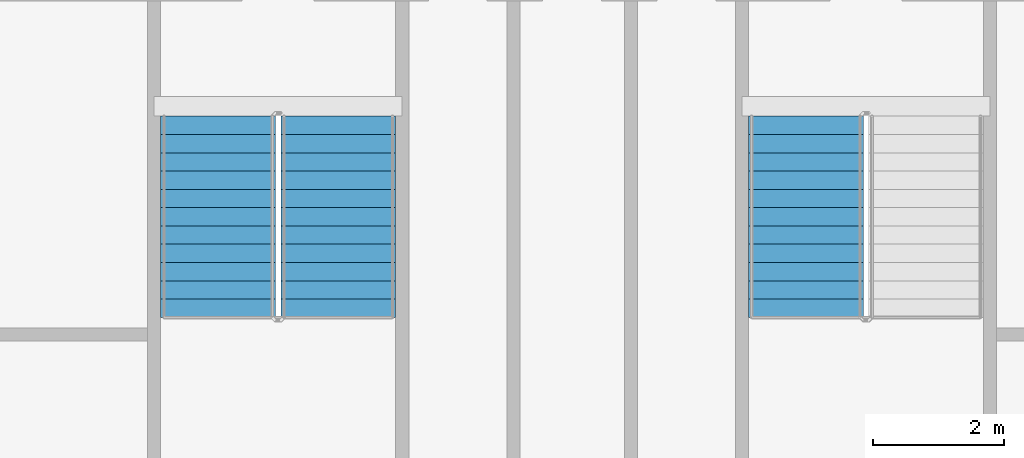
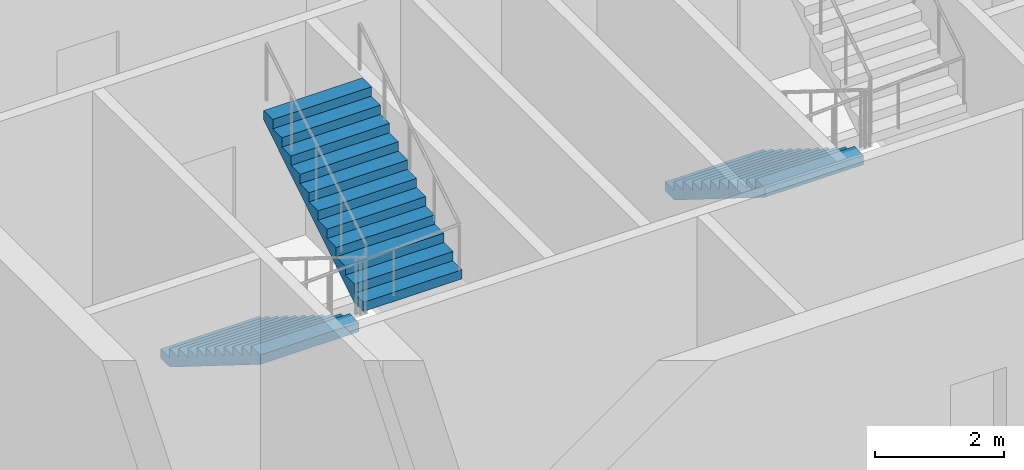
# One storey, part 24 of 31: 3 stair flights, 2 elements without a shape of their own.
"""IFC4 building model written with IfcOpenShell, lengths in metres."""

from ifc_helpers import new_model, si_unit, direction, frame, origin, place, context, subcontext, project, spatial, faceted_brep, material, type_object, element, aggregate, save


model = new_model("IFC4")

# Units and contexts
model_context = context("Model", 3, precision=1e-05, world=origin(), true_north=direction((0.0, 1.0)))
body_context = subcontext(model_context, "Body", "Model", "MODEL_VIEW")
ifc_project = project(units=[si_unit("LENGTHUNIT", "METRE"), si_unit("AREAUNIT", "SQUARE_METRE"), si_unit("VOLUMEUNIT", "CUBIC_METRE"), si_unit("PLANEANGLEUNIT", "RADIAN"), si_unit("MASSUNIT", "GRAM", prefix="KILO")], contexts=[model_context])

# Site, building, storey
site_placement = place(None, origin())
site = spatial("IfcSite", under=ifc_project, at=site_placement, CompositionType="ELEMENT")
building_placement = place(site_placement, origin())
building = spatial("IfcBuilding", under=site, at=building_placement, Name="Tarsis Ring Headquarters", CompositionType="ELEMENT")
storey_placement = place(building_placement, frame((0.0, 0.0, 390.199951171875)))
storey = spatial("IfcBuildingStorey", under=building, at=storey_placement, Name="L92", CompositionType="ELEMENT", Elevation=390.199951171875)

# Stair, stair flights
ifc_material_1 = material(Name="Core stair 1760")
stair_type = type_object("IfcStairType", Name="Core stair 1760", PredefinedType="HALF_TURN_STAIR", material=ifc_material_1)
stair_1_placement = place(storey_placement, origin())
stair_1 = element("IfcStair", 1, at=stair_1_placement, inside=storey, type_object=stair_type, Name="L92 Exit stair C", PredefinedType="HALF_TURN_STAIR")
ifc_material_2 = material(Name="Concrete C40/50", Category="concrete")
stair_flight_type = type_object("IfcStairFlightType", Name="Core stair flight 1760", PredefinedType="STRAIGHT", material=ifc_material_2)
stair_flight_1_placement = place(storey_placement, frame((-5.419921875, -3.659912109375, 0.0), z_axis=(0.0, 0.0, 1.0), x_axis=(0.0, -1.0, 0.0)))
stair_flight_1 = element("IfcStairFlight", 2, at=stair_flight_1_placement, type_object=stair_flight_type, Name="Stair ST3 flight 1", NumberOfRisers=12, NumberOfTreads=11, PredefinedType="STRAIGHT", RiserHeight=0.175, TreadLength=0.28, context=body_context, shape_type="Brep", body=[
    faceted_brep([(0.0, 0.8798828125, 0.0), (0.0, 0.8798828125, 0.175048828125), (0.280029296875, 0.8798828125, 0.175048828125), (0.280029296875, 0.8798828125, 0.35009765625), (0.56005859375, 0.8798828125, 0.35009765625), (0.56005859375, 0.8798828125, 0.52490234375), (0.840087890625, 0.8798828125, 0.52490234375), (0.840087890625, 0.8798828125, 0.699951171875), (1.1201171875, 0.8798828125, 0.699951171875), (1.1201171875, 0.8798828125, 0.875), (1.39990234375, 0.8798828125, 0.875), (1.39990234375, 0.8798828125, 1.050048828125), (1.679931640625, 0.8798828125, 1.050048828125), (1.679931640625, 0.8798828125, 1.22509765625), (1.9599609375, 0.8798828125, 1.22509765625), (1.9599609375, 0.8798828125, 1.39990234375), (2.239990234375, 0.8798828125, 1.39990234375), (2.239990234375, 0.8798828125, 1.574951171875), (2.52001953125, 0.8798828125, 1.574951171875), (2.52001953125, 0.8798828125, 1.75), (2.800048828125, 0.8798828125, 1.75), (2.800048828125, 0.8798828125, 1.925048828125), (3.080078125, 0.8798828125, 1.925048828125), (3.080078125, 0.8798828125, 1.748291015625), (0.28271484375, 0.8798828125, 0.0), (0.28271484375, -0.8798828125, 0.0), (3.080078125, -0.8798828125, 1.748291015625), (3.080078125, -0.8798828125, 1.925048828125), (2.800048828125, -0.8798828125, 1.925048828125), (2.800048828125, -0.8798828125, 1.75), (2.52001953125, -0.8798828125, 1.75), (2.52001953125, -0.8798828125, 1.574951171875), (2.239990234375, -0.8798828125, 1.574951171875), (2.239990234375, -0.8798828125, 1.39990234375), (1.9599609375, -0.8798828125, 1.39990234375), (1.9599609375, -0.8798828125, 1.22509765625), (1.679931640625, -0.8798828125, 1.22509765625), (1.679931640625, -0.8798828125, 1.050048828125), (1.39990234375, -0.8798828125, 1.050048828125), (1.39990234375, -0.8798828125, 0.875), (1.1201171875, -0.8798828125, 0.875), (1.1201171875, -0.8798828125, 0.699951171875), (0.840087890625, -0.8798828125, 0.699951171875), (0.840087890625, -0.8798828125, 0.52490234375), (0.56005859375, -0.8798828125, 0.52490234375), (0.56005859375, -0.8798828125, 0.35009765625), (0.280029296875, -0.8798828125, 0.35009765625), (0.280029296875, -0.8798828125, 0.175048828125), (0.0, -0.8798828125, 0.175048828125), (0.0, -0.8798828125, 0.0), (0.0, -0.43994140625, 0.175048828125), (0.0, -0.43994140625, 0.0), (0.0, 0.0, 0.175048828125), (0.0, 0.0, 0.0), (0.0, 0.43994140625, 0.175048828125), (0.0, 0.43994140625, 0.0), (0.280029296875, -0.43994140625, 0.175048828125), (0.280029296875, 0.0, 0.175048828125), (0.280029296875, 0.43994140625, 0.175048828125), (0.280029296875, -0.43994140625, 0.35009765625), (0.280029296875, 0.0, 0.35009765625), (0.280029296875, 0.43994140625, 0.35009765625), (0.56005859375, -0.43994140625, 0.35009765625), (0.56005859375, 0.0, 0.35009765625), (0.56005859375, 0.43994140625, 0.35009765625), (0.56005859375, -0.43994140625, 0.52490234375), (0.56005859375, 0.0, 0.52490234375), (0.56005859375, 0.43994140625, 0.52490234375), (0.840087890625, -0.43994140625, 0.52490234375), (0.840087890625, 0.0, 0.52490234375), (0.840087890625, 0.43994140625, 0.52490234375), (0.840087890625, -0.43994140625, 0.699951171875), (0.840087890625, 0.0, 0.699951171875), (0.840087890625, 0.43994140625, 0.699951171875), (1.1201171875, -0.43994140625, 0.699951171875), (1.1201171875, 0.0, 0.699951171875), (1.1201171875, 0.43994140625, 0.699951171875), (1.1201171875, -0.43994140625, 0.875), (1.1201171875, 0.0, 0.875), (1.1201171875, 0.43994140625, 0.875), (1.39990234375, -0.43994140625, 0.875), (1.39990234375, 0.0, 0.875), (1.39990234375, 0.43994140625, 0.875), (1.39990234375, -0.43994140625, 1.050048828125), (1.39990234375, 0.0, 1.050048828125), (1.39990234375, 0.43994140625, 1.050048828125), (1.679931640625, -0.43994140625, 1.050048828125), (1.679931640625, 0.0, 1.050048828125), (1.679931640625, 0.43994140625, 1.050048828125), (1.679931640625, -0.43994140625, 1.22509765625), (1.679931640625, 0.0, 1.22509765625), (1.679931640625, 0.43994140625, 1.22509765625), (1.9599609375, -0.43994140625, 1.22509765625), (1.9599609375, 0.0, 1.22509765625), (1.9599609375, 0.43994140625, 1.22509765625), (1.9599609375, -0.43994140625, 1.39990234375), (1.9599609375, 0.0, 1.39990234375), (1.9599609375, 0.43994140625, 1.39990234375), (2.239990234375, -0.43994140625, 1.39990234375), (2.239990234375, 0.0, 1.39990234375), (2.239990234375, 0.43994140625, 1.39990234375), (2.239990234375, -0.43994140625, 1.574951171875), (2.239990234375, 0.0, 1.574951171875), (2.239990234375, 0.43994140625, 1.574951171875), (2.52001953125, -0.43994140625, 1.574951171875), (2.52001953125, 0.0, 1.574951171875), (2.52001953125, 0.43994140625, 1.574951171875), (2.52001953125, -0.43994140625, 1.75), (2.52001953125, 0.0, 1.75), (2.52001953125, 0.43994140625, 1.75), (2.800048828125, -0.43994140625, 1.75), (2.800048828125, 0.0, 1.75), (2.800048828125, 0.43994140625, 1.75), (2.800048828125, -0.43994140625, 1.925048828125), (2.800048828125, 0.0, 1.925048828125), (2.800048828125, 0.43994140625, 1.925048828125), (3.080078125, -0.43994140625, 1.925048828125), (3.080078125, 0.0, 1.925048828125), (3.080078125, 0.43994140625, 1.925048828125), (3.080078125, -0.43994140625, 1.748291015625), (3.080078125, 0.0, 1.748291015625), (3.080078125, 0.43994140625, 1.748291015625), (0.28271484375, -0.43994140625, 0.0), (0.28271484375, 0.0, 0.0), (0.28271484375, 0.43994140625, 0.0)], [[[0, 1, 2, 3, 4, 5, 6, 7, 8, 9, 10, 11, 12, 13, 14, 15, 16, 17, 18, 19, 20, 21, 22, 23, 24]], [[25, 26, 27, 28, 29, 30, 31, 32, 33, 34, 35, 36, 37, 38, 39, 40, 41, 42, 43, 44, 45, 46, 47, 48, 49]], [[49, 48, 50, 51]], [[51, 50, 52, 53]], [[53, 52, 54, 55]], [[55, 54, 1, 0]], [[48, 47, 56, 50]], [[50, 56, 57, 52]], [[52, 57, 58, 54]], [[54, 58, 2, 1]], [[47, 46, 59, 56]], [[56, 59, 60, 57]], [[57, 60, 61, 58]], [[58, 61, 3, 2]], [[46, 45, 62, 59]], [[59, 62, 63, 60]], [[60, 63, 64, 61]], [[61, 64, 4, 3]], [[45, 44, 65, 62]], [[62, 65, 66, 63]], [[63, 66, 67, 64]], [[64, 67, 5, 4]], [[44, 43, 68, 65]], [[65, 68, 69, 66]], [[66, 69, 70, 67]], [[67, 70, 6, 5]], [[43, 42, 71, 68]], [[68, 71, 72, 69]], [[69, 72, 73, 70]], [[70, 73, 7, 6]], [[42, 41, 74, 71]], [[71, 74, 75, 72]], [[72, 75, 76, 73]], [[73, 76, 8, 7]], [[41, 40, 77, 74]], [[74, 77, 78, 75]], [[75, 78, 79, 76]], [[76, 79, 9, 8]], [[40, 39, 80, 77]], [[77, 80, 81, 78]], [[78, 81, 82, 79]], [[79, 82, 10, 9]], [[39, 38, 83, 80]], [[80, 83, 84, 81]], [[81, 84, 85, 82]], [[82, 85, 11, 10]], [[38, 37, 86, 83]], [[83, 86, 87, 84]], [[84, 87, 88, 85]], [[85, 88, 12, 11]], [[37, 36, 89, 86]], [[86, 89, 90, 87]], [[87, 90, 91, 88]], [[88, 91, 13, 12]], [[36, 35, 92, 89]], [[89, 92, 93, 90]], [[90, 93, 94, 91]], [[91, 94, 14, 13]], [[35, 34, 95, 92]], [[92, 95, 96, 93]], [[93, 96, 97, 94]], [[94, 97, 15, 14]], [[34, 33, 98, 95]], [[95, 98, 99, 96]], [[96, 99, 100, 97]], [[97, 100, 16, 15]], [[33, 32, 101, 98]], [[98, 101, 102, 99]], [[99, 102, 103, 100]], [[100, 103, 17, 16]], [[32, 31, 104, 101]], [[101, 104, 105, 102]], [[102, 105, 106, 103]], [[103, 106, 18, 17]], [[31, 30, 107, 104]], [[104, 107, 108, 105]], [[105, 108, 109, 106]], [[106, 109, 19, 18]], [[30, 29, 110, 107]], [[107, 110, 111, 108]], [[108, 111, 112, 109]], [[109, 112, 20, 19]], [[29, 28, 113, 110]], [[110, 113, 114, 111]], [[111, 114, 115, 112]], [[112, 115, 21, 20]], [[28, 27, 116, 113]], [[113, 116, 117, 114]], [[114, 117, 118, 115]], [[115, 118, 22, 21]], [[27, 26, 119, 116]], [[116, 119, 120, 117]], [[117, 120, 121, 118]], [[118, 121, 23, 22]], [[26, 25, 122, 119]], [[119, 122, 123, 120]], [[120, 123, 124, 121]], [[121, 124, 24, 23]], [[25, 49, 51, 122]], [[122, 51, 53, 123]], [[123, 53, 55, 124]], [[124, 55, 0, 24]]]),
])
stair_flight_2_placement = place(storey_placement, frame((-3.580078125, -6.739990234375, 2.10009765625), z_axis=(0.0, 0.0, 1.0), x_axis=(0.0, 1.0, 0.0)))
stair_flight_2 = element("IfcStairFlight", 3, at=stair_flight_2_placement, type_object=stair_flight_type, Name="Stair ST3 flight 2", NumberOfRisers=12, NumberOfTreads=11, PredefinedType="STRAIGHT", RiserHeight=0.175, TreadLength=0.28, context=body_context, shape_type="Brep", body=[
    faceted_brep([(0.0, 0.8798828125, 0.0), (0.0, 0.8798828125, 0.175048828125), (0.280029296875, 0.8798828125, 0.175048828125), (0.280029296875, 0.8798828125, 0.35009765625), (0.56005859375, 0.8798828125, 0.35009765625), (0.56005859375, 0.8798828125, 0.52490234375), (0.840087890625, 0.8798828125, 0.52490234375), (0.840087890625, 0.8798828125, 0.699951171875), (1.1201171875, 0.8798828125, 0.699951171875), (1.1201171875, 0.8798828125, 0.875), (1.39990234375, 0.8798828125, 0.875), (1.39990234375, 0.8798828125, 1.050048828125), (1.679931640625, 0.8798828125, 1.050048828125), (1.679931640625, 0.8798828125, 1.22509765625), (1.9599609375, 0.8798828125, 1.22509765625), (1.9599609375, 0.8798828125, 1.39990234375), (2.239990234375, 0.8798828125, 1.39990234375), (2.239990234375, 0.8798828125, 1.574951171875), (2.52001953125, 0.8798828125, 1.574951171875), (2.52001953125, 0.8798828125, 1.75), (2.800048828125, 0.8798828125, 1.75), (2.800048828125, 0.8798828125, 1.925048828125), (3.080078125, 0.8798828125, 1.925048828125), (3.080078125, 0.8798828125, 1.748291015625), (0.28271484375, 0.8798828125, 0.0), (0.28271484375, -0.8798828125, 0.0), (3.080078125, -0.8798828125, 1.748291015625), (3.080078125, -0.8798828125, 1.925048828125), (2.800048828125, -0.8798828125, 1.925048828125), (2.800048828125, -0.8798828125, 1.75), (2.52001953125, -0.8798828125, 1.75), (2.52001953125, -0.8798828125, 1.574951171875), (2.239990234375, -0.8798828125, 1.574951171875), (2.239990234375, -0.8798828125, 1.39990234375), (1.9599609375, -0.8798828125, 1.39990234375), (1.9599609375, -0.8798828125, 1.22509765625), (1.679931640625, -0.8798828125, 1.22509765625), (1.679931640625, -0.8798828125, 1.050048828125), (1.39990234375, -0.8798828125, 1.050048828125), (1.39990234375, -0.8798828125, 0.875), (1.1201171875, -0.8798828125, 0.875), (1.1201171875, -0.8798828125, 0.699951171875), (0.840087890625, -0.8798828125, 0.699951171875), (0.840087890625, -0.8798828125, 0.52490234375), (0.56005859375, -0.8798828125, 0.52490234375), (0.56005859375, -0.8798828125, 0.35009765625), (0.280029296875, -0.8798828125, 0.35009765625), (0.280029296875, -0.8798828125, 0.175048828125), (0.0, -0.8798828125, 0.175048828125), (0.0, -0.8798828125, 0.0), (0.0, -0.43994140625, 0.175048828125), (0.0, -0.43994140625, 0.0), (0.0, 0.0, 0.175048828125), (0.0, 0.0, 0.0), (0.0, 0.43994140625, 0.175048828125), (0.0, 0.43994140625, 0.0), (0.280029296875, -0.43994140625, 0.175048828125), (0.280029296875, 0.0, 0.175048828125), (0.280029296875, 0.43994140625, 0.175048828125), (0.280029296875, -0.43994140625, 0.35009765625), (0.280029296875, 0.0, 0.35009765625), (0.280029296875, 0.43994140625, 0.35009765625), (0.56005859375, -0.43994140625, 0.35009765625), (0.56005859375, 0.0, 0.35009765625), (0.56005859375, 0.43994140625, 0.35009765625), (0.56005859375, -0.43994140625, 0.52490234375), (0.56005859375, 0.0, 0.52490234375), (0.56005859375, 0.43994140625, 0.52490234375), (0.840087890625, -0.43994140625, 0.52490234375), (0.840087890625, 0.0, 0.52490234375), (0.840087890625, 0.43994140625, 0.52490234375), (0.840087890625, -0.43994140625, 0.699951171875), (0.840087890625, 0.0, 0.699951171875), (0.840087890625, 0.43994140625, 0.699951171875), (1.1201171875, -0.43994140625, 0.699951171875), (1.1201171875, 0.0, 0.699951171875), (1.1201171875, 0.43994140625, 0.699951171875), (1.1201171875, -0.43994140625, 0.875), (1.1201171875, 0.0, 0.875), (1.1201171875, 0.43994140625, 0.875), (1.39990234375, -0.43994140625, 0.875), (1.39990234375, 0.0, 0.875), (1.39990234375, 0.43994140625, 0.875), (1.39990234375, -0.43994140625, 1.050048828125), (1.39990234375, 0.0, 1.050048828125), (1.39990234375, 0.43994140625, 1.050048828125), (1.679931640625, -0.43994140625, 1.050048828125), (1.679931640625, 0.0, 1.050048828125), (1.679931640625, 0.43994140625, 1.050048828125), (1.679931640625, -0.43994140625, 1.22509765625), (1.679931640625, 0.0, 1.22509765625), (1.679931640625, 0.43994140625, 1.22509765625), (1.9599609375, -0.43994140625, 1.22509765625), (1.9599609375, 0.0, 1.22509765625), (1.9599609375, 0.43994140625, 1.22509765625), (1.9599609375, -0.43994140625, 1.39990234375), (1.9599609375, 0.0, 1.39990234375), (1.9599609375, 0.43994140625, 1.39990234375), (2.239990234375, -0.43994140625, 1.39990234375), (2.239990234375, 0.0, 1.39990234375), (2.239990234375, 0.43994140625, 1.39990234375), (2.239990234375, -0.43994140625, 1.574951171875), (2.239990234375, 0.0, 1.574951171875), (2.239990234375, 0.43994140625, 1.574951171875), (2.52001953125, -0.43994140625, 1.574951171875), (2.52001953125, 0.0, 1.574951171875), (2.52001953125, 0.43994140625, 1.574951171875), (2.52001953125, -0.43994140625, 1.75), (2.52001953125, 0.0, 1.75), (2.52001953125, 0.43994140625, 1.75), (2.800048828125, -0.43994140625, 1.75), (2.800048828125, 0.0, 1.75), (2.800048828125, 0.43994140625, 1.75), (2.800048828125, -0.43994140625, 1.925048828125), (2.800048828125, 0.0, 1.925048828125), (2.800048828125, 0.43994140625, 1.925048828125), (3.080078125, -0.43994140625, 1.925048828125), (3.080078125, 0.0, 1.925048828125), (3.080078125, 0.43994140625, 1.925048828125), (3.080078125, -0.43994140625, 1.748291015625), (3.080078125, 0.0, 1.748291015625), (3.080078125, 0.43994140625, 1.748291015625), (0.28271484375, -0.43994140625, 0.0), (0.28271484375, 0.0, 0.0), (0.28271484375, 0.43994140625, 0.0)], [[[0, 1, 2, 3, 4, 5, 6, 7, 8, 9, 10, 11, 12, 13, 14, 15, 16, 17, 18, 19, 20, 21, 22, 23, 24]], [[25, 26, 27, 28, 29, 30, 31, 32, 33, 34, 35, 36, 37, 38, 39, 40, 41, 42, 43, 44, 45, 46, 47, 48, 49]], [[49, 48, 50, 51]], [[51, 50, 52, 53]], [[53, 52, 54, 55]], [[55, 54, 1, 0]], [[48, 47, 56, 50]], [[50, 56, 57, 52]], [[52, 57, 58, 54]], [[54, 58, 2, 1]], [[47, 46, 59, 56]], [[56, 59, 60, 57]], [[57, 60, 61, 58]], [[58, 61, 3, 2]], [[46, 45, 62, 59]], [[59, 62, 63, 60]], [[60, 63, 64, 61]], [[61, 64, 4, 3]], [[45, 44, 65, 62]], [[62, 65, 66, 63]], [[63, 66, 67, 64]], [[64, 67, 5, 4]], [[44, 43, 68, 65]], [[65, 68, 69, 66]], [[66, 69, 70, 67]], [[67, 70, 6, 5]], [[43, 42, 71, 68]], [[68, 71, 72, 69]], [[69, 72, 73, 70]], [[70, 73, 7, 6]], [[42, 41, 74, 71]], [[71, 74, 75, 72]], [[72, 75, 76, 73]], [[73, 76, 8, 7]], [[41, 40, 77, 74]], [[74, 77, 78, 75]], [[75, 78, 79, 76]], [[76, 79, 9, 8]], [[40, 39, 80, 77]], [[77, 80, 81, 78]], [[78, 81, 82, 79]], [[79, 82, 10, 9]], [[39, 38, 83, 80]], [[80, 83, 84, 81]], [[81, 84, 85, 82]], [[82, 85, 11, 10]], [[38, 37, 86, 83]], [[83, 86, 87, 84]], [[84, 87, 88, 85]], [[85, 88, 12, 11]], [[37, 36, 89, 86]], [[86, 89, 90, 87]], [[87, 90, 91, 88]], [[88, 91, 13, 12]], [[36, 35, 92, 89]], [[89, 92, 93, 90]], [[90, 93, 94, 91]], [[91, 94, 14, 13]], [[35, 34, 95, 92]], [[92, 95, 96, 93]], [[93, 96, 97, 94]], [[94, 97, 15, 14]], [[34, 33, 98, 95]], [[95, 98, 99, 96]], [[96, 99, 100, 97]], [[97, 100, 16, 15]], [[33, 32, 101, 98]], [[98, 101, 102, 99]], [[99, 102, 103, 100]], [[100, 103, 17, 16]], [[32, 31, 104, 101]], [[101, 104, 105, 102]], [[102, 105, 106, 103]], [[103, 106, 18, 17]], [[31, 30, 107, 104]], [[104, 107, 108, 105]], [[105, 108, 109, 106]], [[106, 109, 19, 18]], [[30, 29, 110, 107]], [[107, 110, 111, 108]], [[108, 111, 112, 109]], [[109, 112, 20, 19]], [[29, 28, 113, 110]], [[110, 113, 114, 111]], [[111, 114, 115, 112]], [[112, 115, 21, 20]], [[28, 27, 116, 113]], [[113, 116, 117, 114]], [[114, 117, 118, 115]], [[115, 118, 22, 21]], [[27, 26, 119, 116]], [[116, 119, 120, 117]], [[117, 120, 121, 118]], [[118, 121, 23, 22]], [[26, 25, 122, 119]], [[119, 122, 123, 120]], [[120, 123, 124, 121]], [[121, 124, 24, 23]], [[25, 49, 51, 122]], [[122, 51, 53, 123]], [[123, 53, 55, 124]], [[124, 55, 0, 24]]]),
])
aggregate(stair_1, [stair_flight_1, stair_flight_2])

# Stair, stair flight
stair_2_placement = place(storey_placement, origin())
stair_2 = element("IfcStair", 4, at=stair_2_placement, inside=storey, type_object=stair_type, Name="L92 Exit stair D", PredefinedType="HALF_TURN_STAIR")
stair_flight_3_placement = place(storey_placement, frame((3.580078125, -3.659912109375, 0.0), z_axis=(0.0, 0.0, 1.0), x_axis=(0.0, -1.0, 0.0)))
stair_flight_3 = element("IfcStairFlight", 5, at=stair_flight_3_placement, type_object=stair_flight_type, Name="Stair ST4 flight 1", NumberOfRisers=12, NumberOfTreads=11, PredefinedType="STRAIGHT", RiserHeight=0.175, TreadLength=0.28, context=body_context, shape_type="Brep", body=[
    faceted_brep([(0.0, 0.8798828125, 0.0), (0.0, 0.8798828125, 0.175048828125), (0.280029296875, 0.8798828125, 0.175048828125), (0.280029296875, 0.8798828125, 0.35009765625), (0.56005859375, 0.8798828125, 0.35009765625), (0.56005859375, 0.8798828125, 0.52490234375), (0.840087890625, 0.8798828125, 0.52490234375), (0.840087890625, 0.8798828125, 0.699951171875), (1.1201171875, 0.8798828125, 0.699951171875), (1.1201171875, 0.8798828125, 0.875), (1.39990234375, 0.8798828125, 0.875), (1.39990234375, 0.8798828125, 1.050048828125), (1.679931640625, 0.8798828125, 1.050048828125), (1.679931640625, 0.8798828125, 1.22509765625), (1.9599609375, 0.8798828125, 1.22509765625), (1.9599609375, 0.8798828125, 1.39990234375), (2.239990234375, 0.8798828125, 1.39990234375), (2.239990234375, 0.8798828125, 1.574951171875), (2.52001953125, 0.8798828125, 1.574951171875), (2.52001953125, 0.8798828125, 1.75), (2.800048828125, 0.8798828125, 1.75), (2.800048828125, 0.8798828125, 1.925048828125), (3.080078125, 0.8798828125, 1.925048828125), (3.080078125, 0.8798828125, 1.748291015625), (0.28271484375, 0.8798828125, 0.0), (0.28271484375, -0.8798828125, 0.0), (3.080078125, -0.8798828125, 1.748291015625), (3.080078125, -0.8798828125, 1.925048828125), (2.800048828125, -0.8798828125, 1.925048828125), (2.800048828125, -0.8798828125, 1.75), (2.52001953125, -0.8798828125, 1.75), (2.52001953125, -0.8798828125, 1.574951171875), (2.239990234375, -0.8798828125, 1.574951171875), (2.239990234375, -0.8798828125, 1.39990234375), (1.9599609375, -0.8798828125, 1.39990234375), (1.9599609375, -0.8798828125, 1.22509765625), (1.679931640625, -0.8798828125, 1.22509765625), (1.679931640625, -0.8798828125, 1.050048828125), (1.39990234375, -0.8798828125, 1.050048828125), (1.39990234375, -0.8798828125, 0.875), (1.1201171875, -0.8798828125, 0.875), (1.1201171875, -0.8798828125, 0.699951171875), (0.840087890625, -0.8798828125, 0.699951171875), (0.840087890625, -0.8798828125, 0.52490234375), (0.56005859375, -0.8798828125, 0.52490234375), (0.56005859375, -0.8798828125, 0.35009765625), (0.280029296875, -0.8798828125, 0.35009765625), (0.280029296875, -0.8798828125, 0.175048828125), (0.0, -0.8798828125, 0.175048828125), (0.0, -0.8798828125, 0.0), (0.0, -0.43994140625, 0.175048828125), (0.0, -0.43994140625, 0.0), (0.0, 0.0, 0.175048828125), (0.0, 0.0, 0.0), (0.0, 0.43994140625, 0.175048828125), (0.0, 0.43994140625, 0.0), (0.280029296875, -0.43994140625, 0.175048828125), (0.280029296875, 0.0, 0.175048828125), (0.280029296875, 0.43994140625, 0.175048828125), (0.280029296875, -0.43994140625, 0.35009765625), (0.280029296875, 0.0, 0.35009765625), (0.280029296875, 0.43994140625, 0.35009765625), (0.56005859375, -0.43994140625, 0.35009765625), (0.56005859375, 0.0, 0.35009765625), (0.56005859375, 0.43994140625, 0.35009765625), (0.56005859375, -0.43994140625, 0.52490234375), (0.56005859375, 0.0, 0.52490234375), (0.56005859375, 0.43994140625, 0.52490234375), (0.840087890625, -0.43994140625, 0.52490234375), (0.840087890625, 0.0, 0.52490234375), (0.840087890625, 0.43994140625, 0.52490234375), (0.840087890625, -0.43994140625, 0.699951171875), (0.840087890625, 0.0, 0.699951171875), (0.840087890625, 0.43994140625, 0.699951171875), (1.1201171875, -0.43994140625, 0.699951171875), (1.1201171875, 0.0, 0.699951171875), (1.1201171875, 0.43994140625, 0.699951171875), (1.1201171875, -0.43994140625, 0.875), (1.1201171875, 0.0, 0.875), (1.1201171875, 0.43994140625, 0.875), (1.39990234375, -0.43994140625, 0.875), (1.39990234375, 0.0, 0.875), (1.39990234375, 0.43994140625, 0.875), (1.39990234375, -0.43994140625, 1.050048828125), (1.39990234375, 0.0, 1.050048828125), (1.39990234375, 0.43994140625, 1.050048828125), (1.679931640625, -0.43994140625, 1.050048828125), (1.679931640625, 0.0, 1.050048828125), (1.679931640625, 0.43994140625, 1.050048828125), (1.679931640625, -0.43994140625, 1.22509765625), (1.679931640625, 0.0, 1.22509765625), (1.679931640625, 0.43994140625, 1.22509765625), (1.9599609375, -0.43994140625, 1.22509765625), (1.9599609375, 0.0, 1.22509765625), (1.9599609375, 0.43994140625, 1.22509765625), (1.9599609375, -0.43994140625, 1.39990234375), (1.9599609375, 0.0, 1.39990234375), (1.9599609375, 0.43994140625, 1.39990234375), (2.239990234375, -0.43994140625, 1.39990234375), (2.239990234375, 0.0, 1.39990234375), (2.239990234375, 0.43994140625, 1.39990234375), (2.239990234375, -0.43994140625, 1.574951171875), (2.239990234375, 0.0, 1.574951171875), (2.239990234375, 0.43994140625, 1.574951171875), (2.52001953125, -0.43994140625, 1.574951171875), (2.52001953125, 0.0, 1.574951171875), (2.52001953125, 0.43994140625, 1.574951171875), (2.52001953125, -0.43994140625, 1.75), (2.52001953125, 0.0, 1.75), (2.52001953125, 0.43994140625, 1.75), (2.800048828125, -0.43994140625, 1.75), (2.800048828125, 0.0, 1.75), (2.800048828125, 0.43994140625, 1.75), (2.800048828125, -0.43994140625, 1.925048828125), (2.800048828125, 0.0, 1.925048828125), (2.800048828125, 0.43994140625, 1.925048828125), (3.080078125, -0.43994140625, 1.925048828125), (3.080078125, 0.0, 1.925048828125), (3.080078125, 0.43994140625, 1.925048828125), (3.080078125, -0.43994140625, 1.748291015625), (3.080078125, 0.0, 1.748291015625), (3.080078125, 0.43994140625, 1.748291015625), (0.28271484375, -0.43994140625, 0.0), (0.28271484375, 0.0, 0.0), (0.28271484375, 0.43994140625, 0.0)], [[[0, 1, 2, 3, 4, 5, 6, 7, 8, 9, 10, 11, 12, 13, 14, 15, 16, 17, 18, 19, 20, 21, 22, 23, 24]], [[25, 26, 27, 28, 29, 30, 31, 32, 33, 34, 35, 36, 37, 38, 39, 40, 41, 42, 43, 44, 45, 46, 47, 48, 49]], [[49, 48, 50, 51]], [[51, 50, 52, 53]], [[53, 52, 54, 55]], [[55, 54, 1, 0]], [[48, 47, 56, 50]], [[50, 56, 57, 52]], [[52, 57, 58, 54]], [[54, 58, 2, 1]], [[47, 46, 59, 56]], [[56, 59, 60, 57]], [[57, 60, 61, 58]], [[58, 61, 3, 2]], [[46, 45, 62, 59]], [[59, 62, 63, 60]], [[60, 63, 64, 61]], [[61, 64, 4, 3]], [[45, 44, 65, 62]], [[62, 65, 66, 63]], [[63, 66, 67, 64]], [[64, 67, 5, 4]], [[44, 43, 68, 65]], [[65, 68, 69, 66]], [[66, 69, 70, 67]], [[67, 70, 6, 5]], [[43, 42, 71, 68]], [[68, 71, 72, 69]], [[69, 72, 73, 70]], [[70, 73, 7, 6]], [[42, 41, 74, 71]], [[71, 74, 75, 72]], [[72, 75, 76, 73]], [[73, 76, 8, 7]], [[41, 40, 77, 74]], [[74, 77, 78, 75]], [[75, 78, 79, 76]], [[76, 79, 9, 8]], [[40, 39, 80, 77]], [[77, 80, 81, 78]], [[78, 81, 82, 79]], [[79, 82, 10, 9]], [[39, 38, 83, 80]], [[80, 83, 84, 81]], [[81, 84, 85, 82]], [[82, 85, 11, 10]], [[38, 37, 86, 83]], [[83, 86, 87, 84]], [[84, 87, 88, 85]], [[85, 88, 12, 11]], [[37, 36, 89, 86]], [[86, 89, 90, 87]], [[87, 90, 91, 88]], [[88, 91, 13, 12]], [[36, 35, 92, 89]], [[89, 92, 93, 90]], [[90, 93, 94, 91]], [[91, 94, 14, 13]], [[35, 34, 95, 92]], [[92, 95, 96, 93]], [[93, 96, 97, 94]], [[94, 97, 15, 14]], [[34, 33, 98, 95]], [[95, 98, 99, 96]], [[96, 99, 100, 97]], [[97, 100, 16, 15]], [[33, 32, 101, 98]], [[98, 101, 102, 99]], [[99, 102, 103, 100]], [[100, 103, 17, 16]], [[32, 31, 104, 101]], [[101, 104, 105, 102]], [[102, 105, 106, 103]], [[103, 106, 18, 17]], [[31, 30, 107, 104]], [[104, 107, 108, 105]], [[105, 108, 109, 106]], [[106, 109, 19, 18]], [[30, 29, 110, 107]], [[107, 110, 111, 108]], [[108, 111, 112, 109]], [[109, 112, 20, 19]], [[29, 28, 113, 110]], [[110, 113, 114, 111]], [[111, 114, 115, 112]], [[112, 115, 21, 20]], [[28, 27, 116, 113]], [[113, 116, 117, 114]], [[114, 117, 118, 115]], [[115, 118, 22, 21]], [[27, 26, 119, 116]], [[116, 119, 120, 117]], [[117, 120, 121, 118]], [[118, 121, 23, 22]], [[26, 25, 122, 119]], [[119, 122, 123, 120]], [[120, 123, 124, 121]], [[121, 124, 24, 23]], [[25, 49, 51, 122]], [[122, 51, 53, 123]], [[123, 53, 55, 124]], [[124, 55, 0, 24]]]),
])
aggregate(stair_2, [stair_flight_3])

save(model, "model.ifc")
